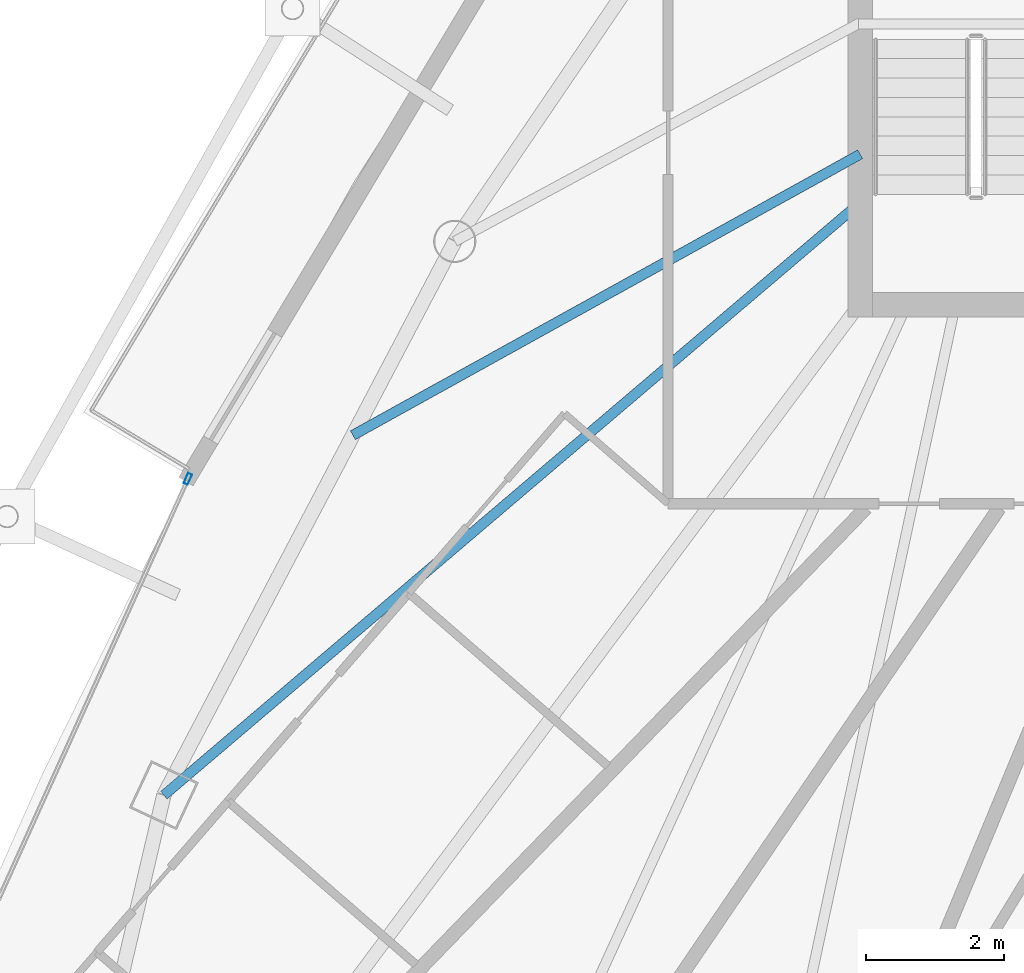
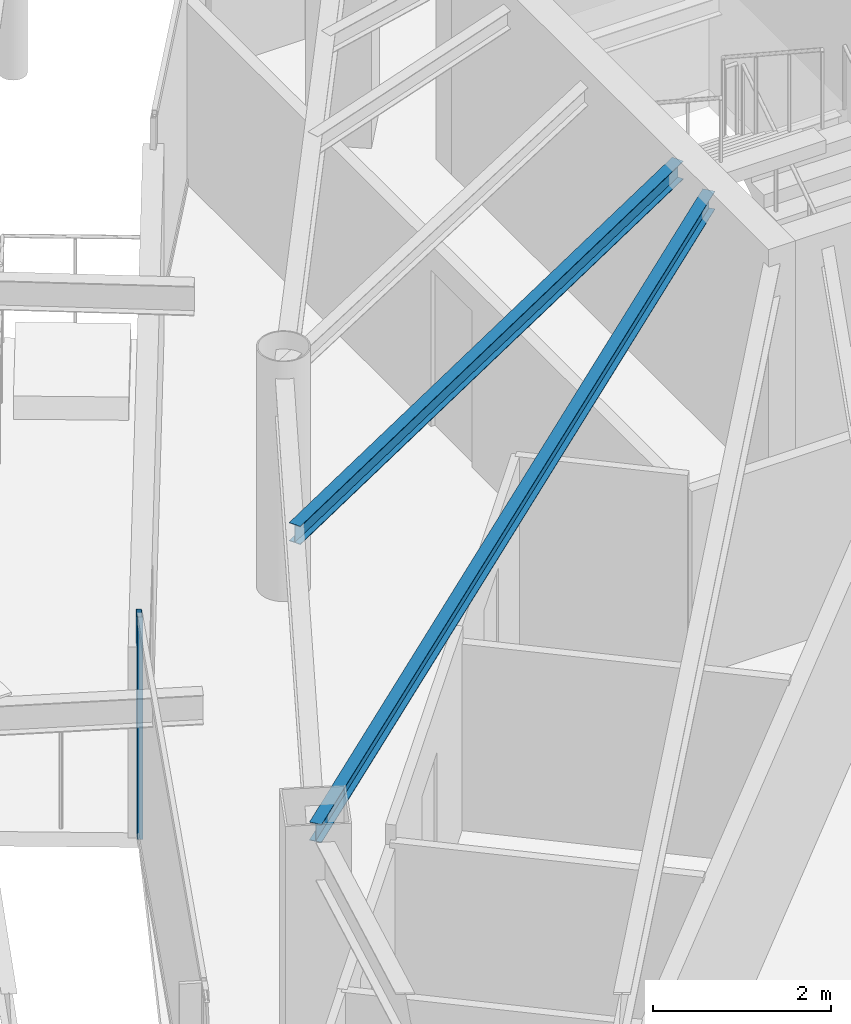
# One storey, part 10 of 29: 2 beams, 1 member, 1 element without a shape of its own.
"""IFC4 building model written with IfcOpenShell, lengths in metres."""

import ifcopenshell
import ifcopenshell.guid

model = None  # the IFC model being written
_history = None  # IfcOwnerHistory: only IFC2X3 demands one
_inside = {}  # id of a spatial element -> (the spatial element, [elements in it])
_under = {}  # id of a project, library or spatial element -> (it, [spatial elements below it])
_declared = {}  # id of a project -> (the project, [libraries it declares])
_typed = {}  # id of a type object -> (the type object, [elements of that type])
_made_of = {}  # id of a material, layer set ... -> (it, [elements and type objects made of it])


def new_model(schema):
    """Start an empty IFC model of exactly this schema.

    Asked for "IFC4X3", IfcOpenShell would pick the latest addendum, in which some entities
    have other attributes; the version numbers below select the first issue.
    IFC2X3 requires an IfcOwnerHistory on every rooted entity: one is made here for all.
    """
    global model, _history
    if schema == "IFC4X3":
        model = ifcopenshell.file(schema_version=(4, 3, 0, 0))
    else:
        model = ifcopenshell.file(schema=schema)
    _inside.clear()
    _under.clear()
    _declared.clear()
    _typed.clear()
    _made_of.clear()
    _history = None
    if model.schema == "IFC2X3":
        org = make("IfcOrganization", Name="unknown")
        user = make(
            "IfcPersonAndOrganization",
            ThePerson=make("IfcPerson", FamilyName="unknown"),
            TheOrganization=org,
        )
        app = make(
            "IfcApplication",
            ApplicationDeveloper=org,
            Version="unknown",
            ApplicationFullName="unknown",
            ApplicationIdentifier="unknown",
        )
        _history = make(
            "IfcOwnerHistory",
            OwningUser=user,
            OwningApplication=app,
            ChangeAction="ADDED",
            CreationDate=0,
        )
    return model


def make(cls, **values):
    """One entity of the class cls with the attributes given. An attribute that is None is left unset."""
    return model.create_entity(
        cls, **{name: value for name, value in values.items() if value is not None}
    )


def rooted(cls, **values):
    """An entity with a GlobalId (a new one), such as an element, a storey or a relation."""
    return make(cls, GlobalId=ifcopenshell.guid.new(), OwnerHistory=_history, **values)


def si_unit(unit_type, name, prefix=None):
    """IfcSIUnit, for example si_unit("LENGTHUNIT", "METRE", prefix="MILLI")."""
    return make("IfcSIUnit", UnitType=unit_type, Prefix=prefix, Name=name)


def assignment(units):
    """IfcUnitAssignment: the units of a project."""
    return None if units is None else make("IfcUnitAssignment", Units=units)


def point(xyz):
    """IfcCartesianPoint."""
    return None if xyz is None else make("IfcCartesianPoint", Coordinates=xyz)


def direction(xyz):
    """IfcDirection."""
    return None if xyz is None else make("IfcDirection", DirectionRatios=xyz)


def frame(location, z_axis=None, x_axis=None):
    """IfcAxis2Placement3D, a coordinate frame: its origin and axes. An axis left out is left unset."""
    return make(
        "IfcAxis2Placement3D",
        Location=point(location),
        Axis=direction(z_axis),
        RefDirection=direction(x_axis),
    )


def frame_2d(location, x_axis=None):
    """IfcAxis2Placement2D, a coordinate frame in the plane: its origin and x axis."""
    return make(
        "IfcAxis2Placement2D", Location=point(location), RefDirection=direction(x_axis)
    )


def origin():
    """The frame at (0, 0, 0) with its axes left unset."""
    return frame((0.0, 0.0, 0.0))


def origin_2d():
    """The frame at (0, 0) in the plane with its x axis left unset."""
    return frame_2d((0.0, 0.0))


def place(relative_to, where):
    """IfcLocalPlacement: puts the frame where relative to a parent placement (None: the world)."""
    return make(
        "IfcLocalPlacement", PlacementRelTo=relative_to, RelativePlacement=where
    )


def context(
    kind, dimensions, precision=None, world=None, true_north=None, identifier=None
):
    """IfcGeometricRepresentationContext, for example the 3D "Model" context."""
    return make(
        "IfcGeometricRepresentationContext",
        ContextIdentifier=identifier,
        ContextType=kind,
        CoordinateSpaceDimension=dimensions,
        Precision=precision,
        WorldCoordinateSystem=world,
        TrueNorth=true_north,
    )


def subcontext(parent, identifier, kind, view, scale=None):
    """IfcGeometricRepresentationSubContext, for example "Body" below "Model"."""
    return make(
        "IfcGeometricRepresentationSubContext",
        ContextIdentifier=identifier,
        ContextType=kind,
        ParentContext=parent,
        TargetScale=scale,
        TargetView=view,
    )


def project(units=None, contexts=None):
    """IfcProject with its units and contexts."""
    return rooted(
        "IfcProject",
        Name="project",
        RepresentationContexts=contexts,
        UnitsInContext=assignment(units),
    )


def spatial(cls, under=None, at=None, **own):
    """A site, building, storey or space (cls), placed at a placement, below another one or the project."""
    s = rooted(cls, ObjectPlacement=at, **own)
    if under is not None:
        _under.setdefault(under.id(), (under, []))[1].append(s)
    return s


def profile(cls, at=None, kind="AREA", **sizes):
    """A parametric profile (cls). Its sizes go by their IFC names, for example OverallWidth=200.0."""
    return make(cls, ProfileType=kind, Position=at, **sizes)


def hollow_rectangle(**sizes):
    """IfcRectangleHollowProfileDef."""
    return profile("IfcRectangleHollowProfileDef", **sizes)


def i_section(**sizes):
    """IfcIShapeProfileDef."""
    return profile("IfcIShapeProfileDef", **sizes)


def extrude(swept, where, along, depth):
    """IfcExtrudedAreaSolid: the profile swept, set in the frame where, extruded along a direction by depth."""
    return make(
        "IfcExtrudedAreaSolid",
        SweptArea=swept,
        Position=where,
        ExtrudedDirection=direction(along),
        Depth=depth,
    )


def shape(context_of_items, identifier, shape_type, items):
    """IfcShapeRepresentation: the items that make up one representation, for example the "Body"."""
    return make(
        "IfcShapeRepresentation",
        ContextOfItems=context_of_items,
        RepresentationIdentifier=identifier,
        RepresentationType=shape_type,
        Items=items,
    )


def material(Name=None, Category=None):
    """IfcMaterial."""
    return make("IfcMaterial", Name=Name, Category=Category)


def layer(
    of_material, thickness, ventilated=None, Name=None, Category=None, Priority=None
):
    """IfcMaterialLayer: one layer of a wall or slab, of a material (None: an air gap)."""
    return make(
        "IfcMaterialLayer",
        Material=of_material,
        LayerThickness=thickness,
        IsVentilated=ventilated,
        Name=Name,
        Category=Category,
        Priority=Priority,
    )


def layer_set(layers, Name=None):
    """IfcMaterialLayerSet."""
    return make("IfcMaterialLayerSet", MaterialLayers=layers, LayerSetName=Name)


def material_profile(
    of_material, cross_section, Name=None, Category=None, Priority=None
):
    """IfcMaterialProfile: a cross section and its material."""
    return make(
        "IfcMaterialProfile",
        Name=Name,
        Material=of_material,
        Profile=cross_section,
        Priority=Priority,
        Category=Category,
    )


def profile_set(profiles, Name=None, composite=None):
    """IfcMaterialProfileSet."""
    return make(
        "IfcMaterialProfileSet",
        Name=Name,
        MaterialProfiles=profiles,
        CompositeProfile=composite,
    )


def made_of(thing, what):
    """Note that an element or type object is made of a material, layer set ...; save() writes the relation."""
    if what is not None:
        _made_of.setdefault(what.id(), (what, []))[1].append(thing)
    return thing


def type_object(cls, material=None, **own):
    """A type object (cls), such as IfcWallType, which elements share."""
    return made_of(rooted(cls, **own), material)


def element(
    cls,
    number,
    at=None,
    inside=None,
    cuts=None,
    type_object=None,
    material=None,
    context=None,
    identifier="Body",
    shape_type=None,
    held_by="IfcProductDefinitionShape",
    body=None,
    shapes=None,
    **own,
):
    """One element of the class cls, such as IfcWall. Its Tag is "e" and its number.

    at: its placement. inside: the storey or other place that contains it. cuts: it is an
    opening in that element (IfcRelVoidsElement). A single representation is given by context,
    identifier, shape_type and body (its items); several are given by shapes. held_by: the class
    of the entity that holds the representations. save() writes the other relations.
    """
    e = rooted(cls, Tag="e%d" % number, ObjectPlacement=at, **own)
    if body is not None:
        shapes = [shape(context, identifier, shape_type, body)]
    if shapes is not None:
        e.Representation = make(held_by, Representations=shapes)
    if inside is not None:
        _inside.setdefault(inside.id(), (inside, []))[1].append(e)
    if cuts is not None:
        rooted(
            "IfcRelVoidsElement", RelatingBuildingElement=cuts, RelatedOpeningElement=e
        )
    if type_object is not None:
        _typed.setdefault(type_object.id(), (type_object, []))[1].append(e)
    return made_of(e, material)


def aggregate(whole, parts):
    """IfcRelAggregates: a whole, such as a stair, and the parts it consists of."""
    return rooted("IfcRelAggregates", RelatingObject=whole, RelatedObjects=parts)


def save(model, path):
    """Write the relations noted so far, then the file.

    IfcRelAggregates (storeys below a building ...), IfcRelContainedInSpatialStructure (elements
    in a storey), IfcRelDefinesByType, IfcRelAssociatesMaterial and IfcRelDeclares: one each for
    every whole, place, type object, material and project.
    """
    for whole, parts in _under.values():
        aggregate(whole, parts)
    for where, things in _inside.values():
        rooted(
            "IfcRelContainedInSpatialStructure",
            RelatedElements=things,
            RelatingStructure=where,
        )
    for kind, things in _typed.values():
        rooted("IfcRelDefinesByType", RelatedObjects=things, RelatingType=kind)
    for what, things in _made_of.values():
        rooted("IfcRelAssociatesMaterial", RelatedObjects=things, RelatingMaterial=what)
    for by, libraries in _declared.values():
        rooted("IfcRelDeclares", RelatingContext=by, RelatedDefinitions=libraries)
    model.write(path)


model = new_model("IFC4")

# Units and contexts
model_context = context("Model", 3, precision=1e-05, world=origin(), true_north=direction((0.0, 1.0)))
body_context = subcontext(model_context, "Body", "Model", "MODEL_VIEW")
ifc_project = project(units=[si_unit("LENGTHUNIT", "METRE"), si_unit("AREAUNIT", "SQUARE_METRE"), si_unit("VOLUMEUNIT", "CUBIC_METRE"), si_unit("PLANEANGLEUNIT", "RADIAN"), si_unit("MASSUNIT", "GRAM", prefix="KILO")], contexts=[model_context])

# Site, building, storey
site_placement = place(None, origin())
site = spatial("IfcSite", under=ifc_project, at=site_placement, CompositionType="ELEMENT")
building_placement = place(site_placement, origin())
building = spatial("IfcBuilding", under=site, at=building_placement, Name="Orvanel Arch Residences", CompositionType="ELEMENT")
storey_placement = place(building_placement, frame((0.0, 0.0, 246.949951171875)))
storey = spatial("IfcBuildingStorey", under=building, at=storey_placement, Name="L70", CompositionType="ELEMENT", Elevation=246.949951171875)

# Beams
ifc_material_1 = material(Name="Structural steel AS/NZS 3679.1 Grade 300 (300 MPa)", Category="steel")
ifc_material_profile_1 = material_profile(ifc_material_1, i_section(OverallWidth=0.14599609375, OverallDepth=0.251953125, WebThickness=0.006103515625, FlangeThickness=0.008544921875, at=origin_2d()), Name="250UB31.4")
ifc_profile_set_1 = profile_set([ifc_material_profile_1], Name="Structural steel AS/NZS 3679.1 Grade 300 (300 MPa)")
beam_type = type_object("IfcBeamType", Name="BJ-250UB", PredefinedType="JOIST", material=ifc_profile_set_1)
beam_1_placement = place(storey_placement, frame((26.425048828125, 28.199951171875, 2.93408203125), z_axis=(-0.761622669031, -0.64802076357, 0.0), x_axis=(0.64802076357, -0.761622669031, 0.0)))
element("IfcBeam", 1, at=beam_1_placement, inside=storey, type_object=beam_type, Name="L70 W Wing Floor Joist", PredefinedType="JOIST", context=body_context, shape_type="SweptSolid", body=[
    extrude(i_section(OverallWidth=0.14599609375, OverallDepth=0.251953125, WebThickness=0.006103515625, FlangeThickness=0.008544921875, at=origin_2d()), origin(), (0.0, 0.0, 1.0), 13.2060546875),
])
beam_2_placement = place(storey_placement, frame((26.425048828125, 28.89990234375, 2.93408203125), z_axis=(-0.874754673235, -0.484566054996, 0.0), x_axis=(0.484566054996, -0.874754673235, 0.0)))
element("IfcBeam", 2, at=beam_2_placement, inside=storey, type_object=beam_type, Name="L70 CTW Wing Floor Joist", PredefinedType="JOIST", context=body_context, shape_type="SweptSolid", body=[
    extrude(i_section(OverallWidth=0.14599609375, OverallDepth=0.251953125, WebThickness=0.006103515625, FlangeThickness=0.008544921875, at=origin_2d()), origin(), (0.0, 0.0, 1.0), 8.376220703125),
])

# Curtain wall, member
ifc_material_2 = material(Name="Bronze-anodised aluminium AA6063-T6", Category="aluminium")
ifc_layer = layer(ifc_material_2, 0.175048828125)
ifc_layer_set = layer_set([ifc_layer], Name="Bronze-anodised aluminium AA6063-T6")
curtain_wall_type = type_object("IfcCurtainWallType", Name="CW4-HI-SYS", PredefinedType="NOTDEFINED", material=ifc_layer_set)
curtain_wall_placement = place(storey_placement, origin())
curtain_wall = element("IfcCurtainWall", 3, at=curtain_wall_placement, inside=storey, type_object=curtain_wall_type, Name="L70 CW4-HI-SYS Unitised Curtain Wall", PredefinedType="NOTDEFINED")
ifc_material_profile_2 = material_profile(ifc_material_2, hollow_rectangle(XDim=0.06494140625, YDim=0.159912109375, WallThickness=0.00390625, at=origin_2d()), Name="ALU160x65x4")
ifc_profile_set_2 = profile_set([ifc_material_profile_2], Name="Bronze-anodised aluminium AA6063-T6")
member_type = type_object("IfcMemberType", Name="MUL-160x65", PredefinedType="MULLION", material=ifc_profile_set_2)
member_placement = place(storey_placement, frame((16.713623046875, 24.21044921875, 0.0), z_axis=(0.0, 0.0, 1.0), x_axis=(0.911827998826, -0.410572405987, 0.0)))
member = element("IfcMember", 4, at=member_placement, type_object=member_type, Name="CW-S4 mullion 1", PredefinedType="MULLION", context=body_context, shape_type="SweptSolid", body=[
    extrude(hollow_rectangle(XDim=0.06494140625, YDim=0.159912109375, WallThickness=0.00390625, at=origin_2d()), origin(), (0.0, 0.0, 1.0), 3.06005859375),
])
aggregate(curtain_wall, [member])

save(model, "model.ifc")
